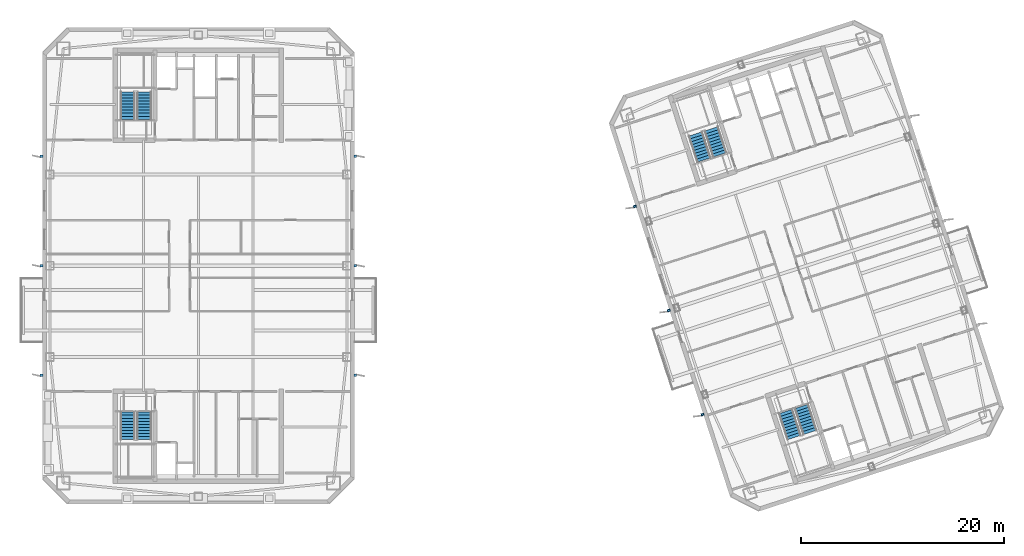
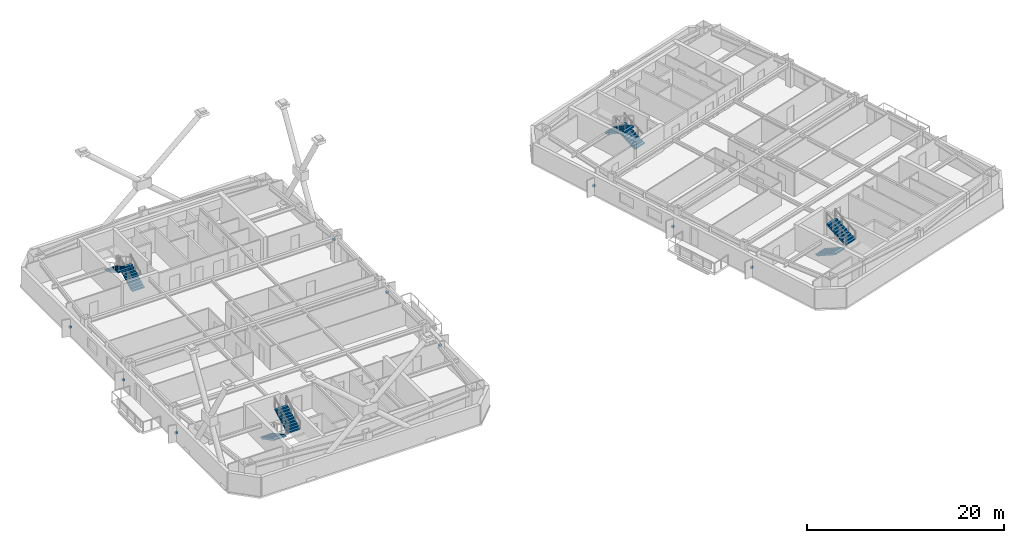
# One storey, part 12 of 18: 9 discrete accessories, 8 stair flights, 4 elements without a shape of their own.
"""IFC4 building model written with IfcOpenShell, lengths in metres."""

from ifc_helpers import new_model, si_unit, direction, frame, origin, origin_2d, place, context, subcontext, project, spatial, polyline, rectangle, outline, extrude, material, type_object, element, aggregate, save


model = new_model("IFC4")

# Units and contexts
model_context = context("Model", 3, precision=1e-05, world=origin(), true_north=direction((0.0, 1.0)))
body_context = subcontext(model_context, "Body", "Model", "MODEL_VIEW")
ifc_project = project(units=[si_unit("LENGTHUNIT", "METRE"), si_unit("AREAUNIT", "SQUARE_METRE"), si_unit("VOLUMEUNIT", "CUBIC_METRE"), si_unit("PLANEANGLEUNIT", "RADIAN"), si_unit("MASSUNIT", "GRAM", prefix="KILO")], contexts=[model_context])

# Site, building, storey
site_placement = place(None, origin())
site = spatial("IfcSite", under=ifc_project, at=site_placement, CompositionType="ELEMENT")
building_placement = place(site_placement, origin())
building = spatial("IfcBuilding", under=site, at=building_placement, Name="Qiaolan Cultural Towers", CompositionType="ELEMENT")
storey_placement = place(building_placement, frame((0.0, 0.0, 237.60009765625)))
storey = spatial("IfcBuildingStorey", under=building, at=storey_placement, Name="L64", CompositionType="ELEMENT", Elevation=237.60009765625)

# Stair, stair flights
ifc_material_1 = material(Name="Concrete C45", Category="concrete")
stair_type = type_object("IfcStairType", Name="STR-CORE-1500", PredefinedType="HALF_TURN_STAIR", material=ifc_material_1)
stair_1_placement = place(storey_placement, origin())
stair_1 = element("IfcStair", 1, at=stair_1_placement, inside=storey, type_object=stair_type, Name="L64 Smokeproof Exit Stair ST-W1", PredefinedType="HALF_TURN_STAIR")
ifc_material_2 = material(Name="Concrete C45", Category="concrete")
stair_flight_type = type_object("IfcStairFlightType", Name="STR-CORE-1500-FL", PredefinedType="STRAIGHT", material=ifc_material_2)
stair_flight_1_placement = place(storey_placement, frame((23.02001953125, 19.550048828125, 0.0), z_axis=(0.0, 0.0, 1.0), x_axis=(0.0, -1.0, 0.0)))
stair_flight_1 = element("IfcStairFlight", 2, at=stair_flight_1_placement, type_object=stair_flight_type, Name="ST-W1 flight 1", NumberOfRisers=10, NumberOfTreads=9, PredefinedType="STRAIGHT", RiserHeight=0.16, TreadLength=0.3, context=body_context, shape_type="SweptSolid", body=[
    extrude(outline(polyline([(0.0, 0.0), (0.0, 0.159912109375), (0.300048828125, 0.159912109375), (0.300048828125, 0.320068359375), (0.60009765625, 0.320068359375), (0.60009765625, 0.47998046875), (0.89990234375, 0.47998046875), (0.89990234375, 0.639892578125), (1.199951171875, 0.639892578125), (1.199951171875, 0.800048828125), (1.5, 0.800048828125), (1.5, 0.9599609375), (1.800048828125, 0.9599609375), (1.800048828125, 1.1201171875), (2.10009765625, 1.1201171875), (2.10009765625, 1.280029296875), (2.39990234375, 1.280029296875), (2.39990234375, 1.43994140625), (2.699951171875, 1.43994140625), (2.699951171875, 1.60009765625), (2.699951171875, 1.27001953125), (0.318603515625, 0.0), (0.0, 0.0)])), frame((0.0, 0.719970703125, 0.0), z_axis=(0.0, -1.0, 0.0), x_axis=(1.0, 0.0, 0.0)), (0.0, 0.0, 1.0), 1.43994140625),
])
stair_flight_2_placement = place(storey_placement, frame((24.659912109375, 16.85009765625, 1.599853515625), z_axis=(0.0, 0.0, 1.0), x_axis=(0.0, 1.0, 0.0)))
stair_flight_2 = element("IfcStairFlight", 3, at=stair_flight_2_placement, type_object=stair_flight_type, Name="ST-W1 flight 2", NumberOfRisers=10, NumberOfTreads=9, PredefinedType="STRAIGHT", RiserHeight=0.16, TreadLength=0.3, context=body_context, shape_type="SweptSolid", body=[
    extrude(outline(polyline([(0.0, 0.0), (0.0, 0.159912109375), (0.300048828125, 0.159912109375), (0.300048828125, 0.320068359375), (0.60009765625, 0.320068359375), (0.60009765625, 0.47998046875), (0.89990234375, 0.47998046875), (0.89990234375, 0.639892578125), (1.199951171875, 0.639892578125), (1.199951171875, 0.800048828125), (1.5, 0.800048828125), (1.5, 0.9599609375), (1.800048828125, 0.9599609375), (1.800048828125, 1.1201171875), (2.10009765625, 1.1201171875), (2.10009765625, 1.280029296875), (2.39990234375, 1.280029296875), (2.39990234375, 1.43994140625), (2.699951171875, 1.43994140625), (2.699951171875, 1.60009765625), (2.699951171875, 1.27001953125), (0.318603515625, 0.0), (0.0, 0.0)])), frame((0.0, 0.719970703125, 0.0), z_axis=(0.0, -1.0, 0.0), x_axis=(1.0, 0.0, 0.0)), (0.0, 0.0, 1.0), 1.43994140625),
])
aggregate(stair_1, [stair_flight_1, stair_flight_2])

stair_2_placement = place(storey_placement, origin())
stair_2 = element("IfcStair", 4, at=stair_2_placement, inside=storey, type_object=stair_type, Name="L64 Smokeproof Exit Stair ST-W2", PredefinedType="HALF_TURN_STAIR")
stair_flight_3_placement = place(storey_placement, frame((24.659912109375, 48.449951171875, 0.0), z_axis=(0.0, 0.0, 1.0), x_axis=(0.0, 1.0, 0.0)))
stair_flight_3 = element("IfcStairFlight", 5, at=stair_flight_3_placement, type_object=stair_flight_type, Name="ST-W2 flight 1", NumberOfRisers=10, NumberOfTreads=9, PredefinedType="STRAIGHT", RiserHeight=0.16, TreadLength=0.3, context=body_context, shape_type="SweptSolid", body=[
    extrude(outline(polyline([(0.0, 0.0), (0.0, 0.159912109375), (0.300048828125, 0.159912109375), (0.300048828125, 0.320068359375), (0.60009765625, 0.320068359375), (0.60009765625, 0.47998046875), (0.89990234375, 0.47998046875), (0.89990234375, 0.639892578125), (1.199951171875, 0.639892578125), (1.199951171875, 0.800048828125), (1.5, 0.800048828125), (1.5, 0.9599609375), (1.800048828125, 0.9599609375), (1.800048828125, 1.1201171875), (2.10009765625, 1.1201171875), (2.10009765625, 1.280029296875), (2.39990234375, 1.280029296875), (2.39990234375, 1.43994140625), (2.699951171875, 1.43994140625), (2.699951171875, 1.60009765625), (2.699951171875, 1.27001953125), (0.318603515625, 0.0), (0.0, 0.0)])), frame((0.0, 0.719970703125, 0.0), z_axis=(0.0, -1.0, 0.0), x_axis=(1.0, 0.0, 0.0)), (0.0, 0.0, 1.0), 1.43994140625),
])
stair_flight_4_placement = place(storey_placement, frame((23.02001953125, 51.14990234375, 1.599853515625), z_axis=(0.0, 0.0, 1.0), x_axis=(0.0, -1.0, 0.0)))
stair_flight_4 = element("IfcStairFlight", 6, at=stair_flight_4_placement, type_object=stair_flight_type, Name="ST-W2 flight 2", NumberOfRisers=10, NumberOfTreads=9, PredefinedType="STRAIGHT", RiserHeight=0.16, TreadLength=0.3, context=body_context, shape_type="SweptSolid", body=[
    extrude(outline(polyline([(0.0, 0.0), (0.0, 0.159912109375), (0.300048828125, 0.159912109375), (0.300048828125, 0.320068359375), (0.60009765625, 0.320068359375), (0.60009765625, 0.47998046875), (0.89990234375, 0.47998046875), (0.89990234375, 0.639892578125), (1.199951171875, 0.639892578125), (1.199951171875, 0.800048828125), (1.5, 0.800048828125), (1.5, 0.9599609375), (1.800048828125, 0.9599609375), (1.800048828125, 1.1201171875), (2.10009765625, 1.1201171875), (2.10009765625, 1.280029296875), (2.39990234375, 1.280029296875), (2.39990234375, 1.43994140625), (2.699951171875, 1.43994140625), (2.699951171875, 1.60009765625), (2.699951171875, 1.27001953125), (0.318603515625, 0.0), (0.0, 0.0)])), frame((0.0, 0.719970703125, 0.0), z_axis=(0.0, -1.0, 0.0), x_axis=(1.0, 0.0, 0.0)), (0.0, 0.0, 1.0), 1.43994140625),
])
aggregate(stair_2, [stair_flight_3, stair_flight_4])

stair_3_placement = place(storey_placement, origin())
stair_3 = element("IfcStair", 7, at=stair_3_placement, inside=storey, type_object=stair_type, Name="L64 Smokeproof Exit Stair ST-E1", PredefinedType="HALF_TURN_STAIR")
stair_flight_5_placement = place(storey_placement, frame((87.96484375, 19.6171875, 0.0), z_axis=(0.0, 0.0, 1.0), x_axis=(0.309016994375, -0.951056516295, 0.0)))
stair_flight_5 = element("IfcStairFlight", 8, at=stair_flight_5_placement, type_object=stair_flight_type, Name="ST-E1 flight 1", NumberOfRisers=10, NumberOfTreads=9, PredefinedType="STRAIGHT", RiserHeight=0.16, TreadLength=0.3, context=body_context, shape_type="SweptSolid", body=[
    extrude(outline(polyline([(0.0, 0.0), (0.0, 0.159912109375), (0.300048828125, 0.159912109375), (0.300048828125, 0.320068359375), (0.60009765625, 0.320068359375), (0.60009765625, 0.47998046875), (0.89990234375, 0.47998046875), (0.89990234375, 0.639892578125), (1.199951171875, 0.639892578125), (1.199951171875, 0.800048828125), (1.5, 0.800048828125), (1.5, 0.9599609375), (1.800048828125, 0.9599609375), (1.800048828125, 1.1201171875), (2.10009765625, 1.1201171875), (2.10009765625, 1.280029296875), (2.39990234375, 1.280029296875), (2.39990234375, 1.43994140625), (2.699951171875, 1.43994140625), (2.699951171875, 1.60009765625), (2.699951171875, 1.27001953125), (0.318603515625, 0.0), (0.0, 0.0)])), frame((0.0, 0.719970703125, 0.0), z_axis=(0.0, -1.0, 0.0), x_axis=(1.0, 0.0, 0.0)), (0.0, 0.0, 1.0), 1.43994140625),
])
stair_flight_6_placement = place(storey_placement, frame((90.359130859375, 17.55615234375, 1.599853515625), z_axis=(0.0, 0.0, 1.0), x_axis=(-0.309016994375, 0.951056516295, 0.0)))
stair_flight_6 = element("IfcStairFlight", 9, at=stair_flight_6_placement, type_object=stair_flight_type, Name="ST-E1 flight 2", NumberOfRisers=10, NumberOfTreads=9, PredefinedType="STRAIGHT", RiserHeight=0.16, TreadLength=0.3, context=body_context, shape_type="SweptSolid", body=[
    extrude(outline(polyline([(0.0, 0.0), (0.0, 0.159912109375), (0.300048828125, 0.159912109375), (0.300048828125, 0.320068359375), (0.60009765625, 0.320068359375), (0.60009765625, 0.47998046875), (0.89990234375, 0.47998046875), (0.89990234375, 0.639892578125), (1.199951171875, 0.639892578125), (1.199951171875, 0.800048828125), (1.5, 0.800048828125), (1.5, 0.9599609375), (1.800048828125, 0.9599609375), (1.800048828125, 1.1201171875), (2.10009765625, 1.1201171875), (2.10009765625, 1.280029296875), (2.39990234375, 1.280029296875), (2.39990234375, 1.43994140625), (2.699951171875, 1.43994140625), (2.699951171875, 1.60009765625), (2.699951171875, 1.27001953125), (0.318603515625, 0.0), (0.0, 0.0)])), frame((0.0, 0.719970703125, 0.0), z_axis=(0.0, -1.0, 0.0), x_axis=(1.0, 0.0, 0.0)), (0.0, 0.0, 1.0), 1.43994140625),
])
aggregate(stair_3, [stair_flight_5, stair_flight_6])

stair_4_placement = place(storey_placement, origin())
stair_4 = element("IfcStair", 10, at=stair_4_placement, inside=storey, type_object=stair_type, Name="L64 Smokeproof Exit Stair ST-E2", PredefinedType="HALF_TURN_STAIR")
stair_flight_7_placement = place(storey_placement, frame((81.459228515625, 44.946533203125, 0.0), z_axis=(0.0, 0.0, 1.0), x_axis=(-0.309016994375, 0.951056516295, 0.0)))
stair_flight_7 = element("IfcStairFlight", 11, at=stair_flight_7_placement, type_object=stair_flight_type, Name="ST-E2 flight 1", NumberOfRisers=10, NumberOfTreads=9, PredefinedType="STRAIGHT", RiserHeight=0.16, TreadLength=0.3, context=body_context, shape_type="SweptSolid", body=[
    extrude(outline(polyline([(0.0, 0.0), (0.0, 0.159912109375), (0.300048828125, 0.159912109375), (0.300048828125, 0.320068359375), (0.60009765625, 0.320068359375), (0.60009765625, 0.47998046875), (0.89990234375, 0.47998046875), (0.89990234375, 0.639892578125), (1.199951171875, 0.639892578125), (1.199951171875, 0.800048828125), (1.5, 0.800048828125), (1.5, 0.9599609375), (1.800048828125, 0.9599609375), (1.800048828125, 1.1201171875), (2.10009765625, 1.1201171875), (2.10009765625, 1.280029296875), (2.39990234375, 1.280029296875), (2.39990234375, 1.43994140625), (2.699951171875, 1.43994140625), (2.699951171875, 1.60009765625), (2.699951171875, 1.27001953125), (0.318603515625, 0.0), (0.0, 0.0)])), frame((0.0, 0.719970703125, 0.0), z_axis=(0.0, -1.0, 0.0), x_axis=(1.0, 0.0, 0.0)), (0.0, 0.0, 1.0), 1.43994140625),
])
stair_flight_8_placement = place(storey_placement, frame((79.065185546875, 47.007568359375, 1.599853515625), z_axis=(0.0, 0.0, 1.0), x_axis=(0.309016994375, -0.951056516295, 0.0)))
stair_flight_8 = element("IfcStairFlight", 12, at=stair_flight_8_placement, type_object=stair_flight_type, Name="ST-E2 flight 2", NumberOfRisers=10, NumberOfTreads=9, PredefinedType="STRAIGHT", RiserHeight=0.16, TreadLength=0.3, context=body_context, shape_type="SweptSolid", body=[
    extrude(outline(polyline([(0.0, 0.0), (0.0, 0.159912109375), (0.300048828125, 0.159912109375), (0.300048828125, 0.320068359375), (0.60009765625, 0.320068359375), (0.60009765625, 0.47998046875), (0.89990234375, 0.47998046875), (0.89990234375, 0.639892578125), (1.199951171875, 0.639892578125), (1.199951171875, 0.800048828125), (1.5, 0.800048828125), (1.5, 0.9599609375), (1.800048828125, 0.9599609375), (1.800048828125, 1.1201171875), (2.10009765625, 1.1201171875), (2.10009765625, 1.280029296875), (2.39990234375, 1.280029296875), (2.39990234375, 1.43994140625), (2.699951171875, 1.43994140625), (2.699951171875, 1.60009765625), (2.699951171875, 1.27001953125), (0.318603515625, 0.0), (0.0, 0.0)])), frame((0.0, 0.719970703125, 0.0), z_axis=(0.0, -1.0, 0.0), x_axis=(1.0, 0.0, 0.0)), (0.0, 0.0, 1.0), 1.43994140625),
])
aggregate(stair_4, [stair_flight_7, stair_flight_8])

# Discrete accessories
ifc_material_3 = material(Name="Stainless Steel S31608 Facade Anchor Bracket", Category="steel")
discrete_accessory_type = type_object("IfcDiscreteAccessoryType", Name="ACC-BRK-SS", PredefinedType="BRACKET", material=ifc_material_3)
for number, where, z_axis, x_axis, name in (
    (13, (14.52001953125, 23.199951171875, 1.06005859375), (0.0, 0.0, 1.0), (1.0, 0.0, 0.0), "L64 T1 Facade Fin Anchor Bracket W1"),
    (14, (14.52001953125, 34.0, 1.06005859375), (0.0, 0.0, 1.0), (1.0, 0.0, 0.0), "L64 T1 Facade Fin Anchor Bracket W2"),
    (15, (14.52001953125, 44.800048828125, 1.06005859375), (0.0, 0.0, 1.0), (1.0, 0.0, 0.0), "L64 T1 Facade Fin Anchor Bracket W3"),
    (16, (45.47998046875, 23.199951171875, 1.06005859375), (0.0, 0.0, 1.0), (1.0, 0.0, 0.0), "L64 T1 Facade Fin Anchor Bracket E1"),
    (17, (45.47998046875, 34.0, 1.06005859375), (0.0, 0.0, 1.0), (1.0, 0.0, 0.0), "L64 T1 Facade Fin Anchor Bracket E2"),
    (18, (45.47998046875, 44.800048828125, 1.06005859375), (0.0, 0.0, 1.0), (1.0, 0.0, 0.0), "L64 T1 Facade Fin Anchor Bracket E3"),
    (19, (79.75634765625, 19.31591796875, 1.06005859375), (0.0, 0.0, 1.0), (0.951056516295, 0.309016994375, 0.0), "L64 T2 Facade Fin Anchor Bracket W1"),
    (20, (76.4189453125, 29.587158203125, 1.06005859375), (0.0, 0.0, 1.0), (0.951056516295, 0.309016994375, 0.0), "L64 T2 Facade Fin Anchor Bracket W2"),
    (21, (73.08154296875, 39.858642578125, 1.06005859375), (0.0, 0.0, 1.0), (0.951056516295, 0.309016994375, 0.0), "L64 T2 Facade Fin Anchor Bracket W3"),
):
    element("IfcDiscreteAccessory", number, at=place(storey_placement, frame(where, z_axis=z_axis, x_axis=x_axis)), inside=storey, type_object=discrete_accessory_type, Name=name, PredefinedType="BRACKET", context=body_context, shape_type="SweptSolid", body=[
        extrude(rectangle(XDim=0.280029296875, YDim=0.219970703125, at=origin_2d()), origin(), (0.0, 0.0, 1.0), 0.239990234375),
    ])

save(model, "model.ifc")
